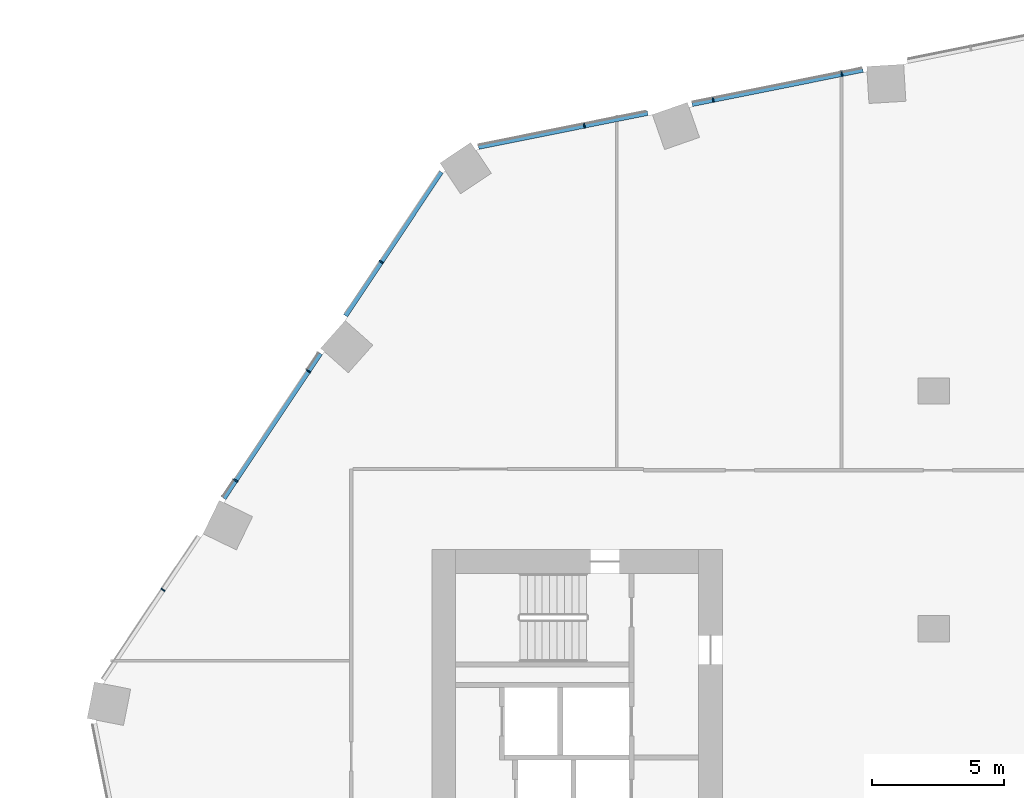
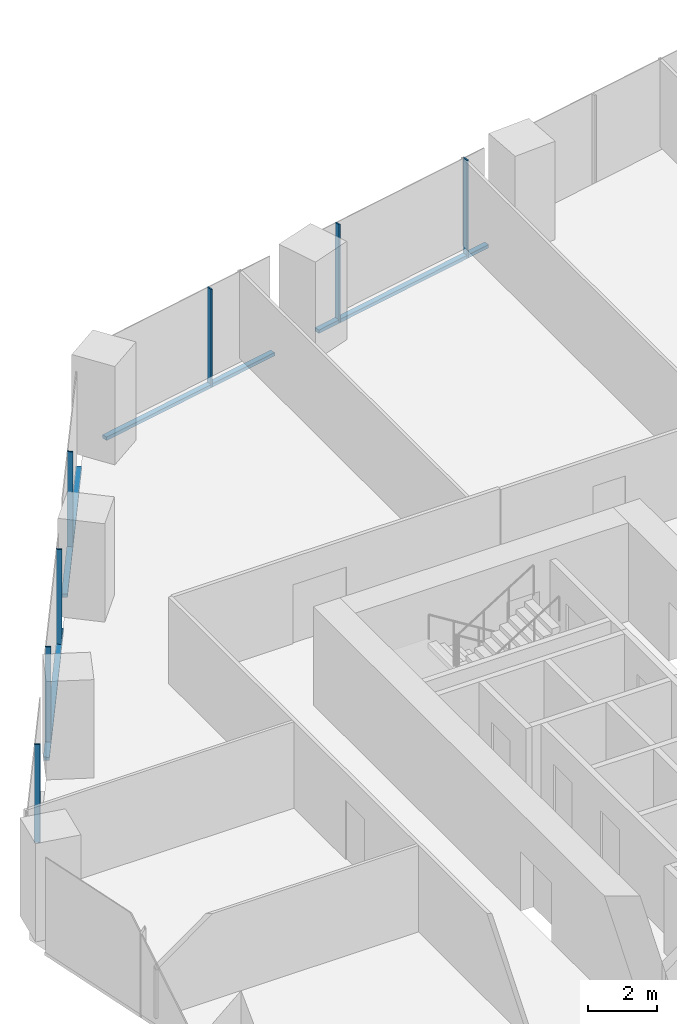
# One storey, part 13 of 38: 11 members, 2 elements without a shape of their own.
"""IFC4 building model written with IfcOpenShell, lengths in metres."""

from ifc_helpers import new_model, si_unit, direction, frame, origin, origin_2d, place, context, subcontext, project, spatial, rectangle, extrude, material, material_profile, profile_set, type_object, element, aggregate, save


model = new_model("IFC4")

# Units and contexts
model_context = context("Model", 3, precision=1e-05, world=origin(), true_north=direction((0.0, 1.0)))
body_context = subcontext(model_context, "Body", "Model", "MODEL_VIEW")
ifc_project = project(units=[si_unit("LENGTHUNIT", "METRE"), si_unit("AREAUNIT", "SQUARE_METRE"), si_unit("VOLUMEUNIT", "CUBIC_METRE"), si_unit("PLANEANGLEUNIT", "RADIAN"), si_unit("MASSUNIT", "GRAM", prefix="KILO")], contexts=[model_context])

# Site, building, storey
site_placement = place(None, origin())
site = spatial("IfcSite", under=ifc_project, at=site_placement, CompositionType="ELEMENT")
building_placement = place(site_placement, origin())
building = spatial("IfcBuilding", under=site, at=building_placement, Name="Orlundy Tower", CompositionType="ELEMENT")
storey_placement = place(building_placement, frame((0.0, 0.0, 65.800048828125)))
storey = spatial("IfcBuildingStorey", under=building, at=storey_placement, Name="L15", CompositionType="ELEMENT", Elevation=65.800048828125)

# Curtain wall, members
ifc_material_1 = material(Name="Aluminium bronze anodised", Category="aluminium")
curtain_wall_type = type_object("IfcCurtainWallType", Name="CW1 wall", PredefinedType="NOTDEFINED", material=ifc_material_1)
curtain_wall_1_placement = place(storey_placement, origin())
curtain_wall_1 = element("IfcCurtainWall", 1, at=curtain_wall_1_placement, inside=storey, type_object=curtain_wall_type, Name="CW1 run 014", PredefinedType="NOTDEFINED")
ifc_material_2 = material(Name="Aluminium bronze anodised", Category="aluminium")
ifc_material_profile_1 = material_profile(ifc_material_2, rectangle(XDim=0.179931640625, YDim=0.050048828125, at=origin_2d()), Name="CW1 mullion 50x180")
ifc_profile_set_1 = profile_set([ifc_material_profile_1], Name="Aluminium bronze anodised")
member_type_1 = type_object("IfcMemberType", Name="CW1 mullion 50x180", PredefinedType="MULLION", material=ifc_profile_set_1)
member_1_placement = place(storey_placement, frame((-29.176513671875, 10.4755859375, -0.400146484375), z_axis=(0.0, 0.0, 1.0), x_axis=(-0.832279269513, 0.554356579774, 0.0)))
member_1 = element("IfcMember", 2, at=member_1_placement, type_object=member_type_1, Name="CW1 mullion 35", PredefinedType="MULLION", context=body_context, shape_type="SweptSolid", body=[
    extrude(rectangle(XDim=0.179931640625, YDim=0.050048828125, at=origin_2d()), origin(), (0.0, 0.0, 1.0), 3.5),
])
member_2_placement = place(storey_placement, frame((-26.421142578125, 14.612548828125, -0.400146484375), z_axis=(0.0, 0.0, 1.0), x_axis=(-0.832279269513, 0.554356579774, 0.0)))
member_2 = element("IfcMember", 3, at=member_2_placement, type_object=member_type_1, Name="CW1 mullion 36", PredefinedType="MULLION", context=body_context, shape_type="SweptSolid", body=[
    extrude(rectangle(XDim=0.179931640625, YDim=0.050048828125, at=origin_2d()), origin(), (0.0, 0.0, 1.0), 3.5),
])
member_3_placement = place(storey_placement, frame((-23.665771484375, 18.749267578125, -0.400146484375), z_axis=(0.0, 0.0, 1.0), x_axis=(-0.832279269513, 0.554356579774, 0.0)))
member_3 = element("IfcMember", 4, at=member_3_placement, type_object=member_type_1, Name="CW1 mullion 37", PredefinedType="MULLION", context=body_context, shape_type="SweptSolid", body=[
    extrude(rectangle(XDim=0.179931640625, YDim=0.050048828125, at=origin_2d()), origin(), (0.0, 0.0, 1.0), 3.5),
])
member_4_placement = place(storey_placement, frame((-20.910400390625, 22.885986328125, -0.400146484375), z_axis=(0.0, 0.0, 1.0), x_axis=(-0.832279269513, 0.554356579774, 0.0)))
member_4 = element("IfcMember", 5, at=member_4_placement, type_object=member_type_1, Name="CW1 mullion 38", PredefinedType="MULLION", context=body_context, shape_type="SweptSolid", body=[
    extrude(rectangle(XDim=0.179931640625, YDim=0.050048828125, at=origin_2d()), origin(), (0.0, 0.0, 1.0), 3.5),
])

curtain_wall_2_placement = place(storey_placement, origin())
curtain_wall_2 = element("IfcCurtainWall", 6, at=curtain_wall_2_placement, inside=storey, type_object=curtain_wall_type, Name="CW1 run 015", PredefinedType="NOTDEFINED")
member_5_placement = place(storey_placement, frame((-13.223876953125, 28.0380859375, -0.400146484375), z_axis=(0.0, 0.0, 1.0), x_axis=(-0.196510737775, 0.980501672583, 0.0)))
member_5 = element("IfcMember", 7, at=member_5_placement, type_object=member_type_1, Name="CW1 mullion 40", PredefinedType="MULLION", context=body_context, shape_type="SweptSolid", body=[
    extrude(rectangle(XDim=0.179931640625, YDim=0.050048828125, at=origin_2d()), origin(), (0.0, 0.0, 1.0), 3.5),
])
member_6_placement = place(storey_placement, frame((-8.35009765625, 29.014892578125, -0.400146484375), z_axis=(0.0, 0.0, 1.0), x_axis=(-0.196510737775, 0.980501672583, 0.0)))
member_6 = element("IfcMember", 8, at=member_6_placement, type_object=member_type_1, Name="CW1 mullion 41", PredefinedType="MULLION", context=body_context, shape_type="SweptSolid", body=[
    extrude(rectangle(XDim=0.179931640625, YDim=0.050048828125, at=origin_2d()), origin(), (0.0, 0.0, 1.0), 3.5),
])
member_7_placement = place(storey_placement, frame((-3.476318359375, 29.99169921875, -0.400146484375), z_axis=(0.0, 0.0, 1.0), x_axis=(-0.196510737775, 0.980501672583, 0.0)))
member_7 = element("IfcMember", 9, at=member_7_placement, type_object=member_type_1, Name="CW1 mullion 42", PredefinedType="MULLION", context=body_context, shape_type="SweptSolid", body=[
    extrude(rectangle(XDim=0.179931640625, YDim=0.050048828125, at=origin_2d()), origin(), (0.0, 0.0, 1.0), 3.5),
])

# Member
ifc_material_3 = material(Name="Aluminium bronze anodised", Category="aluminium")
ifc_material_profile_2 = material_profile(ifc_material_3, rectangle(XDim=0.179931640625, YDim=0.1201171875, at=origin_2d()), Name="CW1 transom 180x120")
ifc_profile_set_2 = profile_set([ifc_material_profile_2], Name="Aluminium bronze anodised")
member_type_2 = type_object("IfcMemberType", Name="CW1 transom 180x120", PredefinedType="USERDEFINED", material=ifc_profile_set_2)
member_8_placement = place(storey_placement, frame((-26.87060546875, 13.9375, -0.340087890625), z_axis=(0.554332670304, 0.832295194407, 0.0), x_axis=(-0.832295194407, 0.554332670304, 0.0)))
member_8 = element("IfcMember", 10, at=member_8_placement, type_object=member_type_2, Name="CW1 transom", ObjectType="TRANSOM", PredefinedType="USERDEFINED", context=body_context, shape_type="SweptSolid", body=[
    extrude(rectangle(XDim=0.179931640625, YDim=0.1201171875, at=origin_2d()), origin(), (0.0, 0.0, 1.0), 6.5927734375),
])

member_9_placement = place(storey_placement, frame((-22.2646484375, 20.852783203125, -0.340087890625), z_axis=(0.55436374244, 0.832274498629, 0.0), x_axis=(-0.832274498629, 0.55436374244, 0.0)))
member_9 = element("IfcMember", 11, at=member_9_placement, type_object=member_type_2, Name="CW1 transom", ObjectType="TRANSOM", PredefinedType="USERDEFINED", context=body_context, shape_type="SweptSolid", body=[
    extrude(rectangle(XDim=0.179931640625, YDim=0.1201171875, at=origin_2d()), origin(), (0.0, 0.0, 1.0), 6.531494140625),
])

aggregate(curtain_wall_1, [member_1, member_2, member_3, member_4, member_8, member_9])

member_10_placement = place(storey_placement, frame((-17.2314453125, 27.23486328125, -0.340087890625), z_axis=(0.98050439315, 0.196497162863, 0.0), x_axis=(-0.196497162863, 0.98050439315, 0.0)))
member_10 = element("IfcMember", 12, at=member_10_placement, type_object=member_type_2, Name="CW1 transom", ObjectType="TRANSOM", PredefinedType="USERDEFINED", context=body_context, shape_type="SweptSolid", body=[
    extrude(rectangle(XDim=0.179931640625, YDim=0.1201171875, at=origin_2d()), origin(), (0.0, 0.0, 1.0), 6.5302734375),
])

member_11_placement = place(storey_placement, frame((-9.145751953125, 28.85546875, -0.340087890625), z_axis=(0.980505128338, 0.196493494301, 0.0), x_axis=(-0.196493494301, 0.980505128338, 0.0)))
member_11 = element("IfcMember", 13, at=member_11_placement, type_object=member_type_2, Name="CW1 transom", ObjectType="TRANSOM", PredefinedType="USERDEFINED", context=body_context, shape_type="SweptSolid", body=[
    extrude(rectangle(XDim=0.179931640625, YDim=0.1201171875, at=origin_2d()), origin(), (0.0, 0.0, 1.0), 6.593994140625),
])

aggregate(curtain_wall_2, [member_5, member_6, member_7, member_10, member_11])

save(model, "model.ifc")
